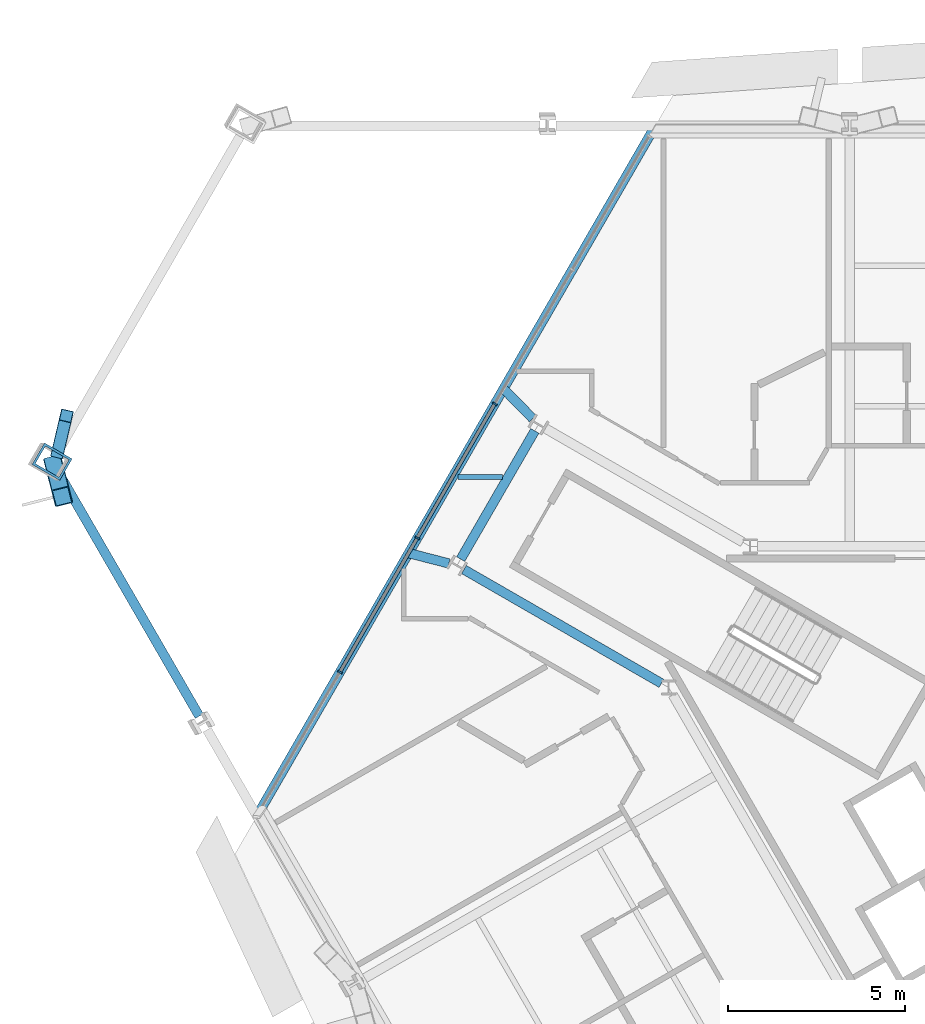
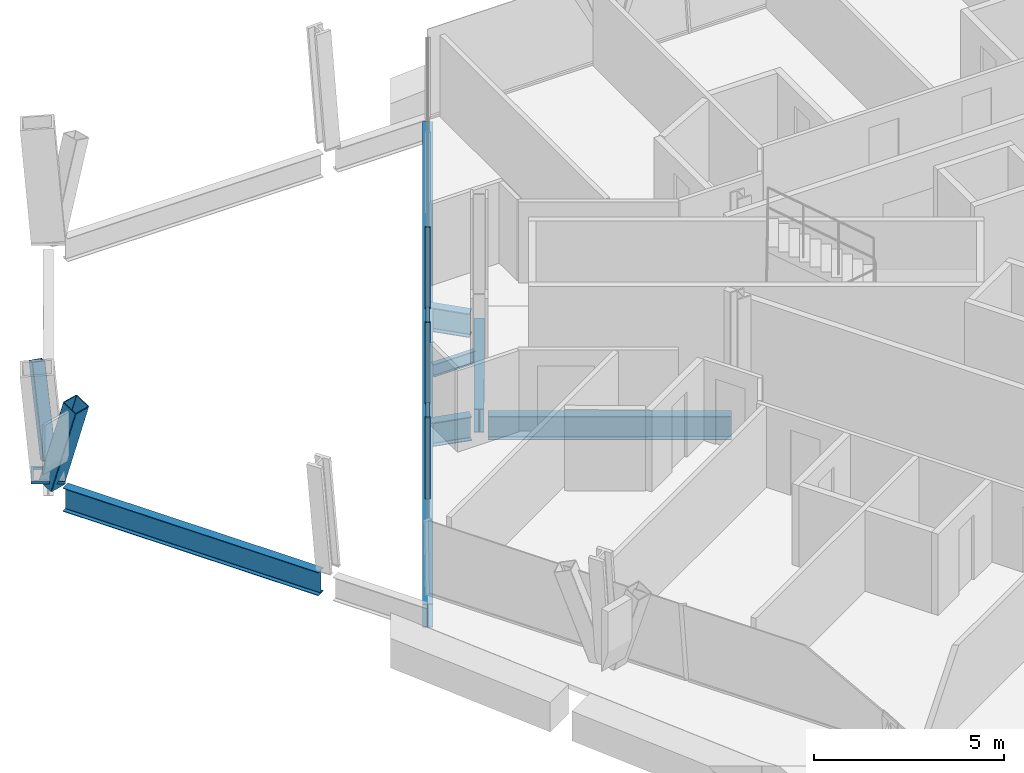
# One storey, part 5 of 17: 8 members, 7 beams, 1 element without a shape of its own.
"""IFC4 building model written with IfcOpenShell, lengths in metres."""

from ifc_helpers import new_model, si_unit, direction, frame, origin, origin_2d, place, context, subcontext, project, spatial, rectangle, hollow_rectangle, i_section, extrude, material, material_profile, profile_set, type_object, element, aggregate, save


model = new_model("IFC4")

# Units and contexts
model_context = context("Model", 3, precision=1e-05, world=origin(), true_north=direction((0.0, 1.0)))
body_context = subcontext(model_context, "Body", "Model", "MODEL_VIEW")
ifc_project = project(units=[si_unit("LENGTHUNIT", "METRE"), si_unit("AREAUNIT", "SQUARE_METRE"), si_unit("VOLUMEUNIT", "CUBIC_METRE"), si_unit("PLANEANGLEUNIT", "RADIAN"), si_unit("MASSUNIT", "GRAM", prefix="KILO")], contexts=[model_context])

# Site, building, storey
site_placement = place(None, origin())
site = spatial("IfcSite", under=ifc_project, at=site_placement, CompositionType="ELEMENT")
building_placement = place(site_placement, origin())
building = spatial("IfcBuilding", under=site, at=building_placement, Name="Verrane Prism Tower", CompositionType="ELEMENT")
storey_placement = place(building_placement, frame((0.0, 0.0, 62.0)))
storey = spatial("IfcBuildingStorey", under=building, at=storey_placement, Name="L13", CompositionType="ELEMENT", Elevation=62.0)

# Member
ifc_material_1 = material(Name="Steel A500 Grade C", Category="steel")
ifc_material_profile_1 = material_profile(ifc_material_1, hollow_rectangle(XDim=0.355712890625, YDim=0.355712890625, WallThickness=0.0126953125, InnerFilletRadius=0.00634765625, OuterFilletRadius=0.01904296875, at=origin_2d()), Name="HSS14x14x1/2")
ifc_profile_set_1 = profile_set([ifc_material_profile_1], Name="Steel A500 Grade C")
member_type_1 = type_object("IfcMemberType", Name="Chamfer brace HSS14x14x1/2", PredefinedType="BRACE", material=ifc_profile_set_1)
member_1_placement = place(storey_placement, frame((-30.859619140625, 11.86767578125, 0.2587890625), z_axis=(0.087530329187, 0.375181493385, 0.922809454055), x_axis=(-0.973848112977, 0.22720002828, 0.0)))
element("IfcMember", 1, at=member_1_placement, inside=storey, type_object=member_type_1, Name="Chamfer brace NW0 L13", PredefinedType="BRACE", context=body_context, shape_type="SweptSolid", body=[
    extrude(hollow_rectangle(XDim=0.355712890625, YDim=0.355712890625, WallThickness=0.0126953125, InnerFilletRadius=0.00634765625, OuterFilletRadius=0.01904296875, at=origin_2d()), origin(), (0.0, 0.0, 1.0), 2.708251953125),
])

# Beams
ifc_material_2 = material(Name="Steel A992", Category="steel")
ifc_material_profile_2 = material_profile(ifc_material_2, i_section(OverallWidth=0.2666015625, OverallDepth=0.7568359375, WebThickness=0.013916015625, FlangeThickness=0.019287109375, FilletRadius=0.0166015625, at=origin_2d()), Name="W30x108")
ifc_profile_set_2 = profile_set([ifc_material_profile_2], Name="Steel A992")
beam_type_1 = type_object("IfcBeamType", Name="Core ring girder W30x108", PredefinedType="BEAM", material=ifc_profile_set_2)
beam_1_placement = place(storey_placement, frame((-17.40478515625, 12.45849609375, -0.62841796875), z_axis=(-0.500349643494, -0.865823442888, 0.0), x_axis=(0.865823442888, -0.500349643494, 0.0)))
element("IfcBeam", 2, at=beam_1_placement, inside=storey, type_object=beam_type_1, Name="Core ring girder L13", PredefinedType="BEAM", context=body_context, shape_type="SweptSolid", body=[
    extrude(i_section(OverallWidth=0.2666015625, OverallDepth=0.7568359375, WebThickness=0.013916015625, FlangeThickness=0.019287109375, FilletRadius=0.0166015625, at=origin_2d()), origin(), (0.0, 0.0, 1.0), 4.177734375),
])
beam_2_placement = place(storey_placement, frame((-19.403076171875, 8.54638671875, -0.62841796875), z_axis=(0.86646365882, -0.499240150574, 0.0), x_axis=(0.499240150574, 0.86646365882, 0.0)))
element("IfcBeam", 3, at=beam_2_placement, inside=storey, type_object=beam_type_1, Name="Core ring girder L13", PredefinedType="BEAM", context=body_context, shape_type="SweptSolid", body=[
    extrude(i_section(OverallWidth=0.2666015625, OverallDepth=0.7568359375, WebThickness=0.013916015625, FlangeThickness=0.019287109375, FilletRadius=0.0166015625, at=origin_2d()), origin(), (0.0, 0.0, 1.0), 6.42822265625),
])
ifc_material_3 = material(Name="Steel A992", Category="steel")
ifc_material_profile_3 = material_profile(ifc_material_3, i_section(OverallWidth=0.2666015625, OverallDepth=0.76708984375, WebThickness=0.014892578125, FlangeThickness=0.023681640625, FilletRadius=0.0166015625, at=origin_2d()), Name="W30x124")
ifc_profile_set_3 = profile_set([ifc_material_profile_3], Name="Steel A992")
beam_type_2 = type_object("IfcBeamType", Name="Corner girder W30x124", PredefinedType="BEAM", material=ifc_profile_set_3)
beam_3_placement = place(storey_placement, frame((-18.286376953125, 13.64794921875, -0.603515625), z_axis=(0.69937267195, -0.71475720754, 0.0), x_axis=(0.71475720754, 0.69937267195, 0.0)))
element("IfcBeam", 4, at=beam_3_placement, inside=storey, type_object=beam_type_2, Name="Corner girder L13", PredefinedType="BEAM", context=body_context, shape_type="SweptSolid", body=[
    extrude(i_section(OverallWidth=0.2666015625, OverallDepth=0.76708984375, WebThickness=0.014892578125, FlangeThickness=0.023681640625, FilletRadius=0.0166015625, at=origin_2d()), origin(), (0.0, 0.0, 1.0), 1.17431640625),
])
beam_4_placement = place(storey_placement, frame((-20.964111328125, 9.010009765625, -0.603515625), z_axis=(0.968642020778, -0.248460531238, 0.0), x_axis=(0.248460531238, 0.968642020778, 0.0)))
element("IfcBeam", 5, at=beam_4_placement, inside=storey, type_object=beam_type_2, Name="Corner girder L13", PredefinedType="BEAM", context=body_context, shape_type="SweptSolid", body=[
    extrude(i_section(OverallWidth=0.2666015625, OverallDepth=0.76708984375, WebThickness=0.014892578125, FlangeThickness=0.023681640625, FilletRadius=0.0166015625, at=origin_2d()), origin(), (0.0, 0.0, 1.0), 1.17236328125),
])

# Member
ifc_material_4 = material(Name="Steel A1085 Grade A", Category="steel")
ifc_material_profile_4 = material_profile(ifc_material_4, hollow_rectangle(XDim=0.508056640625, YDim=0.508056640625, WallThickness=0.025390625, InnerFilletRadius=0.0126953125, OuterFilletRadius=0.0380859375, at=origin_2d()), Name="HSS20x20x1")
ifc_profile_set_4 = profile_set([ifc_material_profile_4], Name="Steel A1085 Grade A")
member_type_2 = type_object("IfcMemberType", Name="Facade brace HSS20x20x1", PredefinedType="BRACE", material=ifc_profile_set_4)
member_2_placement = place(storey_placement, frame((-30.968994140625, 11.501708984375, -0.197509765625), z_axis=(0.072850818083, -0.288020350974, 0.954849221463), x_axis=(0.96946898724, 0.245213953069, 0.0)))
element("IfcMember", 6, at=member_2_placement, inside=storey, type_object=member_type_2, Name="Facade brace SW0 L13", PredefinedType="BRACE", context=body_context, shape_type="SweptSolid", body=[
    extrude(hollow_rectangle(XDim=0.508056640625, YDim=0.508056640625, WallThickness=0.025390625, InnerFilletRadius=0.0126953125, OuterFilletRadius=0.0380859375, at=origin_2d()), origin(), (0.0, 0.0, 1.0), 3.103271484375),
])

# Beam
ifc_material_5 = material(Name="Steel A992", Category="steel")
ifc_material_profile_5 = material_profile(ifc_material_5, i_section(OverallWidth=0.140380859375, OverallDepth=0.40380859375, WebThickness=0.007080078125, FlangeThickness=0.01123046875, FilletRadius=0.01025390625, at=origin_2d()), Name="W16x31")
ifc_profile_set_5 = profile_set([ifc_material_profile_5], Name="Steel A992")
beam_type_3 = type_object("IfcBeamType", Name="Floor beam W16x31", PredefinedType="BEAM", material=ifc_profile_set_5)
beam_5_placement = place(storey_placement, frame((-19.571533203125, 11.155029296875, -0.36181640625), z_axis=(1.0, 0.0, 0.0), x_axis=(0.0, 1.0, 0.0)))
element("IfcBeam", 7, at=beam_5_placement, inside=storey, type_object=beam_type_3, Name="Floor beam L13", PredefinedType="BEAM", context=body_context, shape_type="SweptSolid", body=[
    extrude(i_section(OverallWidth=0.140380859375, OverallDepth=0.40380859375, WebThickness=0.007080078125, FlangeThickness=0.01123046875, FilletRadius=0.01025390625, at=origin_2d()), origin(), (0.0, 0.0, 1.0), 1.259033203125),
])

# Member
ifc_material_6 = material(Name="Steel A572 Grade 50", Category="steel")
ifc_material_profile_6 = material_profile(ifc_material_6, hollow_rectangle(XDim=0.699951171875, YDim=0.89990234375, WallThickness=0.06494140625, at=origin_2d()), Name="BOX 900x700x65")
ifc_profile_set_6 = profile_set([ifc_material_profile_6], Name="Steel A572 Grade 50")
member_type_3 = type_object("IfcMemberType", Name="Kink node BOX 900x700x65", PredefinedType="COLLAR", material=ifc_profile_set_6)
member_3_placement = place(storey_placement, frame((-31.02197265625, 11.590087890625, -0.0400390625), z_axis=(0.0, 0.0, 1.0), x_axis=(0.5, 0.866025403784, 0.0)))
element("IfcMember", 8, at=member_3_placement, inside=storey, type_object=member_type_3, Name="Kink node MC3 L13", PredefinedType="COLLAR", context=body_context, shape_type="SweptSolid", body=[
    extrude(hollow_rectangle(XDim=0.699951171875, YDim=0.89990234375, WallThickness=0.06494140625, at=origin_2d()), origin(), (0.0, 0.0, 1.0), 0.080078125),
])

# Curtain wall, members
ifc_material_7 = material(Name="Aluminium framed insulated glazing", Category="aluminium")
curtain_wall_type = type_object("IfcCurtainWallType", Name="Curtain wall CW-C 4200 module", PredefinedType="NOTDEFINED", material=ifc_material_7)
curtain_wall_placement = place(storey_placement, origin())
curtain_wall = element("IfcCurtainWall", 9, at=curtain_wall_placement, inside=storey, type_object=curtain_wall_type, Name="Glazed curtain wall garden cut line L13 1", PredefinedType="NOTDEFINED")
ifc_material_8 = material(Name="Aluminium alloy 6063-T6", Category="aluminium")
ifc_material_profile_7 = material_profile(ifc_material_8, rectangle(XDim=0.139892578125, YDim=0.050048828125, at=origin_2d()), Name="Mullion 50x140 aluminium")
ifc_profile_set_7 = profile_set([ifc_material_profile_7], Name="Aluminium alloy 6063-T6")
member_type_4 = type_object("IfcMemberType", Name="Mullion 50x140 aluminium", PredefinedType="MULLION", material=ifc_profile_set_7)
member_4_placement = place(storey_placement, frame((-18.5322265625, 13.222412109375, 0.0), z_axis=(0.0, 0.0, 1.0), x_axis=(0.86602606015, -0.49999886314, 0.0)))
member_4 = element("IfcMember", 10, at=member_4_placement, type_object=member_type_4, Name="CW12.3.1 mullion 3", PredefinedType="MULLION", context=body_context, shape_type="SweptSolid", body=[
    extrude(rectangle(XDim=0.139892578125, YDim=0.050048828125, at=origin_2d()), origin(), (0.0, 0.0, 1.0), 2.61279296875),
])
member_5_placement = place(storey_placement, frame((-20.717041015625, 9.43798828125, 0.0), z_axis=(0.0, 0.0, 1.0), x_axis=(0.86602606015, -0.49999886314, 0.0)))
member_5 = element("IfcMember", 11, at=member_5_placement, type_object=member_type_4, Name="CW12.3.1 mullion 4", PredefinedType="MULLION", context=body_context, shape_type="SweptSolid", body=[
    extrude(rectangle(XDim=0.139892578125, YDim=0.050048828125, at=origin_2d()), origin(), (0.0, 0.0, 1.0), 2.61279296875),
])
member_6_placement = place(storey_placement, frame((-22.90185546875, 5.65380859375, 0.0), z_axis=(0.0, 0.0, 1.0), x_axis=(0.86602606015, -0.49999886314, 0.0)))
member_6 = element("IfcMember", 12, at=member_6_placement, type_object=member_type_4, Name="CW12.3.1 mullion 5", PredefinedType="MULLION", context=body_context, shape_type="SweptSolid", body=[
    extrude(rectangle(XDim=0.139892578125, YDim=0.050048828125, at=origin_2d()), origin(), (0.0, 0.0, 1.0), 2.61279296875),
])

# Beams
ifc_material_9 = material(Name="Steel A992", Category="steel")
ifc_material_profile_8 = material_profile(ifc_material_9, i_section(OverallWidth=0.2666015625, OverallDepth=0.7568359375, WebThickness=0.013916015625, FlangeThickness=0.019287109375, FilletRadius=0.0166015625, at=origin_2d()), Name="W30x108")
ifc_profile_set_8 = profile_set([ifc_material_profile_8], Name="Steel A992")
beam_type_4 = type_object("IfcBeamType", Name="Slab edge girder W30x108", PredefinedType="BEAM", material=ifc_profile_set_8)
beam_6_placement = place(storey_placement, frame((-25.170654296875, 1.72412109375, -0.598388671875), z_axis=(0.499999982802, 0.866025413713, 0.0), x_axis=(-0.866025413713, 0.499999982802, 0.0)))
element("IfcBeam", 13, at=beam_6_placement, inside=storey, type_object=beam_type_4, Name="Slab edge girder L13", PredefinedType="BEAM", context=body_context, shape_type="SweptSolid", body=[
    extrude(i_section(OverallWidth=0.2666015625, OverallDepth=0.7568359375, WebThickness=0.013916015625, FlangeThickness=0.019287109375, FilletRadius=0.0166015625, at=origin_2d()), origin(), (0.0, 0.0, 1.0), 22.1845703125),
])
ifc_material_10 = material(Name="Steel A992", Category="steel")
ifc_material_profile_9 = material_profile(ifc_material_10, i_section(OverallWidth=0.2666015625, OverallDepth=0.7568359375, WebThickness=0.013916015625, FlangeThickness=0.019287109375, FilletRadius=0.0166015625, at=origin_2d()), Name="W30x108")
ifc_profile_set_9 = profile_set([ifc_material_profile_9], Name="Steel A992")
beam_type_5 = type_object("IfcBeamType", Name="Spandrel beam W30x108", PredefinedType="SPANDREL", material=ifc_profile_set_9)
beam_7_placement = place(storey_placement, frame((-30.760009765625, 11.140380859375, -0.53857421875), z_axis=(0.500425695968, -0.865779488562, 0.0), x_axis=(0.865779488562, 0.500425695968, 0.0)))
element("IfcBeam", 14, at=beam_7_placement, inside=storey, type_object=beam_type_5, Name="Spandrel beam L13", PredefinedType="SPANDREL", context=body_context, shape_type="SweptSolid", body=[
    extrude(i_section(OverallWidth=0.2666015625, OverallDepth=0.7568359375, WebThickness=0.013916015625, FlangeThickness=0.019287109375, FilletRadius=0.0166015625, at=origin_2d()), origin(), (0.0, 0.0, 1.0), 7.772216796875),
])

# Member
ifc_material_11 = material(Name="Aluminium alloy 6063-T6", Category="aluminium")
ifc_material_profile_10 = material_profile(ifc_material_11, rectangle(XDim=0.10009765625, YDim=0.050048828125, at=origin_2d()), Name="Transom 50x100 aluminium")
ifc_profile_set_10 = profile_set([ifc_material_profile_10], Name="Aluminium alloy 6063-T6")
member_type_5 = type_object("IfcMemberType", Name="Transom 50x100 aluminium", PredefinedType="USERDEFINED", material=ifc_profile_set_10)
member_7_placement = place(storey_placement, frame((-18.544677734375, 13.20068359375, 0.02490234375), z_axis=(-0.500011098256, -0.866018996109, 0.0), x_axis=(0.866018996109, -0.500011098256, 0.0)))
member_7 = element("IfcMember", 15, at=member_7_placement, type_object=member_type_5, Name="CW12.3.1 transom 3", ObjectType="TRANSOM", PredefinedType="USERDEFINED", context=body_context, shape_type="SweptSolid", body=[
    extrude(rectangle(XDim=0.10009765625, YDim=0.050048828125, at=origin_2d()), origin(), (0.0, 0.0, 1.0), 4.31982421875),
])

member_8_placement = place(storey_placement, frame((-20.7294921875, 9.41650390625, 0.02490234375), z_axis=(-0.500011098256, -0.866018996109, 0.0), x_axis=(0.866018996109, -0.500011098256, 0.0)))
member_8 = element("IfcMember", 16, at=member_8_placement, type_object=member_type_5, Name="CW12.3.1 transom 4", ObjectType="TRANSOM", PredefinedType="USERDEFINED", context=body_context, shape_type="SweptSolid", body=[
    extrude(rectangle(XDim=0.10009765625, YDim=0.050048828125, at=origin_2d()), origin(), (0.0, 0.0, 1.0), 4.31982421875),
])

aggregate(curtain_wall, [member_4, member_5, member_6, member_7, member_8])

save(model, "model.ifc")
